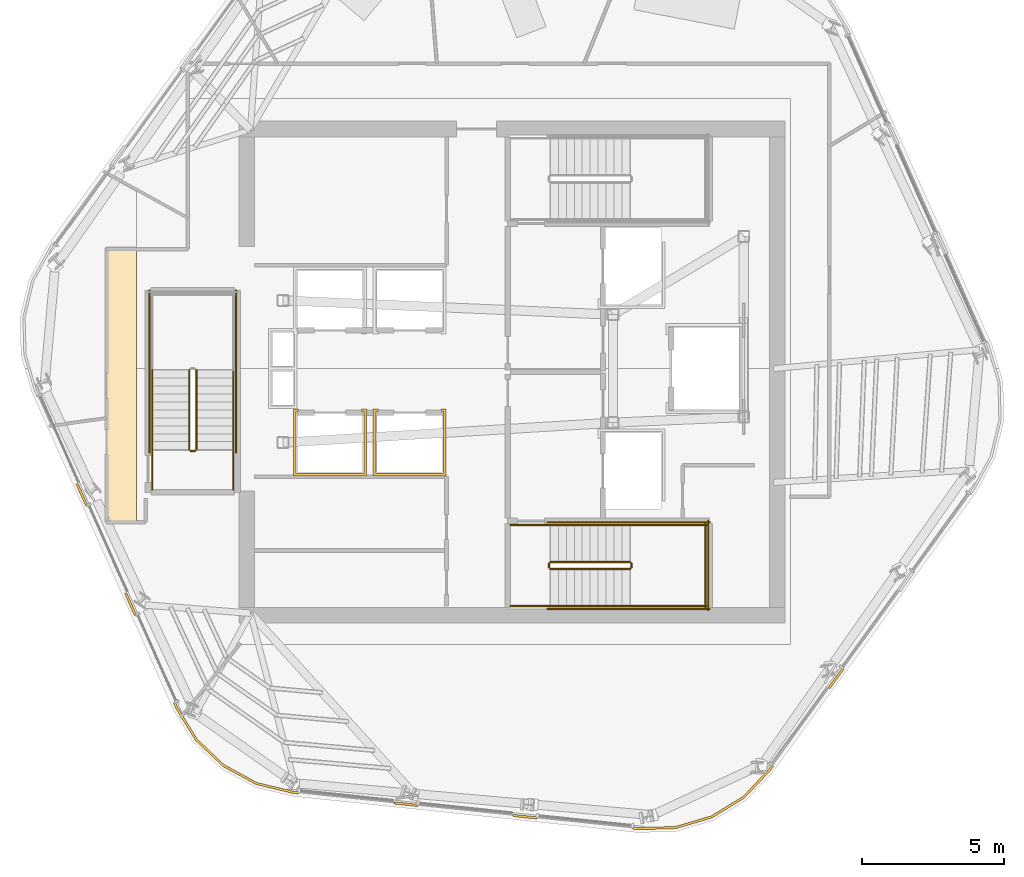
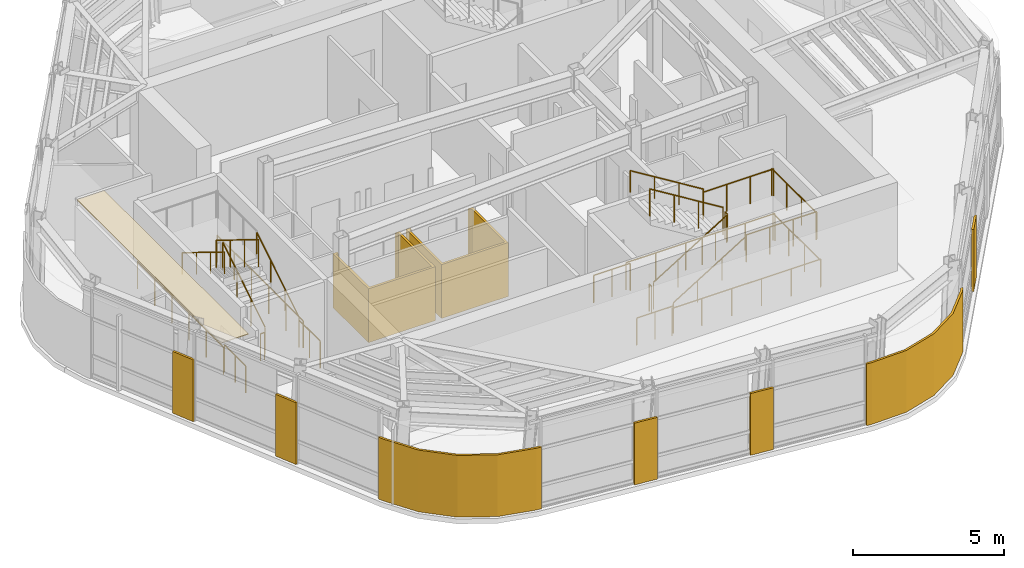
# One storey, part 8 of 12: 23 railings, 10 coverings.
"""IFC4 building model written with IfcOpenShell, lengths in metres."""

from ifc_helpers import new_model, si_unit, direction, frame, origin, origin_2d, place, context, subcontext, project, spatial, polyline, circle, outline, extrude, material, layer, layer_set, type_object, element, save


model = new_model("IFC4")

# Units and contexts
model_context = context("Model", 3, precision=1e-05, world=origin(), true_north=direction((0.0, 1.0)))
body_context = subcontext(model_context, "Body", "Model", "MODEL_VIEW")
ifc_project = project(units=[si_unit("LENGTHUNIT", "METRE"), si_unit("AREAUNIT", "SQUARE_METRE"), si_unit("VOLUMEUNIT", "CUBIC_METRE"), si_unit("PLANEANGLEUNIT", "RADIAN"), si_unit("MASSUNIT", "GRAM", prefix="KILO")], contexts=[model_context])

# Site, building, storey
site_placement = place(None, origin())
site = spatial("IfcSite", under=ifc_project, at=site_placement, CompositionType="ELEMENT")
building_placement = place(site_placement, origin())
building = spatial("IfcBuilding", under=site, at=building_placement, Name="Valkerne Bourse Tower", CompositionType="ELEMENT")
storey_placement = place(building_placement, frame((0.0, 0.0, 258.39990234375)))
storey = spatial("IfcBuildingStorey", under=building, at=storey_placement, Name="L65", CompositionType="ELEMENT", Elevation=258.39990234375)

# Coverings
ifc_material_1 = material(Name="Bronze Anodised Aluminium AA 6063-T6", Category="aluminium")
ifc_layer_1 = layer(ifc_material_1, 0.030029296875)
ifc_layer_set_1 = layer_set([ifc_layer_1], Name="Bronze Anodised Aluminium AA 6063-T6")
covering_type_1 = type_object("IfcCoveringType", Name="COV-CEIL-METAL", PredefinedType="CEILING", material=ifc_layer_set_1)
covering_1_placement = place(storey_placement, frame((0.0, 0.0, 3.25)))
element("IfcCovering", 1, at=covering_1_placement, inside=storey, type_object=covering_type_1, Name="L65 Suspended Ceiling 02", PredefinedType="CEILING", context=body_context, shape_type="SweptSolid", body=[
    extrude(outline(polyline([(32.553955078125, 21.60400390625), (32.553955078125, 31.196044921875), (33.60009765625, 31.196044921875), (33.60009765625, 21.60400390625), (32.553955078125, 21.60400390625)])), origin(), (0.0, 0.0, 1.0), 0.025146484375),
])
ifc_layer_2 = layer(ifc_material_1, 0.06005859375)
ifc_layer_set_2 = layer_set([ifc_layer_2], Name="Bronze Anodised Aluminium AA 6063-T6")
covering_type_2 = type_object("IfcCoveringType", Name="COV-CRN-ALUM", PredefinedType="CLADDING", material=ifc_layer_set_2)
covering_2_placement = place(storey_placement, origin())
element("IfcCovering", 2, at=covering_2_placement, inside=storey, type_object=covering_type_2, Name="L65 Wind-Shaped Corner Aluminium Cladding 03", PredefinedType="CLADDING", context=body_context, shape_type="SweptSolid", body=[
    extrude(outline(polyline([(57.98583984375, 15.750732421875), (57.921142578125, 15.7978515625), (58.414794921875, 16.477294921875), (58.4794921875, 16.430419921875), (57.98583984375, 15.750732421875)])), origin(), (0.0, 0.0, 1.0), 2.5),
])
covering_3_placement = place(storey_placement, origin())
element("IfcCovering", 3, at=covering_3_placement, inside=storey, type_object=covering_type_2, Name="L65 Wind-Shaped Corner Aluminium Cladding 04", PredefinedType="CLADDING", context=body_context, shape_type="SweptSolid", body=[
    extrude(outline(polyline([(55.890380859375, 12.866455078125), (54.96923828125, 11.89599609375), (53.83447265625, 11.200439453125), (52.55810546875, 10.822509765625), (51.220703125, 10.787353515625), (51.028564453125, 10.8076171875), (51.037109375, 10.88720703125), (51.223876953125, 10.867431640625), (52.54541015625, 10.902099609375), (53.801513671875, 11.2744140625), (54.91845703125, 11.958740234375), (55.82861328125, 12.91748046875), (55.93896484375, 13.069580078125), (56.00390625, 13.022705078125), (55.890380859375, 12.866455078125)])), origin(), (0.0, 0.0, 1.0), 2.5),
])
covering_4_placement = place(storey_placement, origin())
element("IfcCovering", 4, at=covering_4_placement, inside=storey, type_object=covering_type_2, Name="L65 Wind-Shaped Corner Aluminium Cladding 05", PredefinedType="CLADDING", context=body_context, shape_type="SweptSolid", body=[
    extrude(outline(polyline([(46.839599609375, 11.247802734375), (46.84814453125, 11.327392578125), (47.68359375, 11.23974609375), (47.675048828125, 11.16015625), (46.839599609375, 11.247802734375)])), origin(), (0.0, 0.0, 1.0), 2.5),
])
covering_5_placement = place(storey_placement, origin())
element("IfcCovering", 5, at=covering_5_placement, inside=storey, type_object=covering_type_2, Name="L65 Wind-Shaped Corner Aluminium Cladding 06", PredefinedType="CLADDING", context=body_context, shape_type="SweptSolid", body=[
    extrude(outline(polyline([(42.650634765625, 11.688232421875), (42.6591796875, 11.767822265625), (43.494384765625, 11.679931640625), (43.486083984375, 11.600341796875), (42.650634765625, 11.688232421875)])), origin(), (0.0, 0.0, 1.0), 2.5),
])
covering_6_placement = place(storey_placement, origin())
element("IfcCovering", 6, at=covering_6_placement, inside=storey, type_object=covering_type_2, Name="L65 Wind-Shaped Corner Aluminium Cladding 07", PredefinedType="CLADDING", context=body_context, shape_type="SweptSolid", body=[
    extrude(outline(polyline([(39.10498046875, 12.060791015625), (37.80419921875, 12.373291015625), (36.634521484375, 13.00830078125), (35.6689453125, 13.924560546875), (34.969970703125, 15.065185546875), (34.891357421875, 15.24169921875), (34.96435546875, 15.2744140625), (35.040771484375, 15.1025390625), (35.731689453125, 13.975341796875), (36.681884765625, 13.073486328125), (37.833251953125, 12.448486328125), (39.11865234375, 12.139892578125), (39.3056640625, 12.1201171875), (39.29736328125, 12.040771484375), (39.10498046875, 12.060791015625)])), origin(), (0.0, 0.0, 1.0), 2.5),
])
covering_7_placement = place(storey_placement, origin())
element("IfcCovering", 7, at=covering_7_placement, inside=storey, type_object=covering_type_2, Name="L65 Wind-Shaped Corner Aluminium Cladding 08", PredefinedType="CLADDING", context=body_context, shape_type="SweptSolid", body=[
    extrude(outline(polyline([(33.177978515625, 19.089599609375), (33.251220703125, 19.122314453125), (33.593017578125, 18.354736328125), (33.519775390625, 18.322265625), (33.177978515625, 19.089599609375)])), origin(), (0.0, 0.0, 1.0), 2.5),
])
covering_8_placement = place(storey_placement, origin())
element("IfcCovering", 8, at=covering_8_placement, inside=storey, type_object=covering_type_2, Name="L65 Wind-Shaped Corner Aluminium Cladding 09", PredefinedType="CLADDING", context=body_context, shape_type="SweptSolid", body=[
    extrude(outline(polyline([(31.465087890625, 22.9375), (31.5380859375, 22.969970703125), (31.879638671875, 22.20263671875), (31.806640625, 22.169921875), (31.465087890625, 22.9375)])), origin(), (0.0, 0.0, 1.0), 2.5),
])
ifc_material_2 = material(Name="Gypsum Shaftwall Liner Board", Category="gypsum")
ifc_layer_3 = layer(ifc_material_2, 0.080078125)
ifc_layer_set_3 = layer_set([ifc_layer_3], Name="Gypsum Shaftwall Liner Board")
covering_type_3 = type_object("IfcCoveringType", Name="COV-SHF-CLAD", PredefinedType="CLADDING", material=ifc_layer_set_3)
covering_9_placement = place(storey_placement, origin())
element("IfcCovering", 9, at=covering_9_placement, inside=storey, type_object=covering_type_3, Name="L65 Hoistway & Riser Shaftwall Liner 02", PredefinedType="CLADDING", context=body_context, shape_type="SweptSolid", body=[
    extrude(outline(polyline([(39.29931640625, 25.580078125), (39.28857421875, 25.537841796875), (39.2822265625, 25.494140625), (39.281982421875, 25.489990234375), (39.2099609375, 25.489990234375), (39.2099609375, 23.31005859375), (41.590087890625, 23.31005859375), (41.590087890625, 25.489990234375), (41.51806640625, 25.489990234375), (41.517822265625, 25.494140625), (41.511474609375, 25.537841796875), (41.500732421875, 25.580078125), (41.679931640625, 25.580078125), (41.679931640625, 23.219970703125), (39.1201171875, 23.219970703125), (39.1201171875, 25.580078125), (39.29931640625, 25.580078125)])), origin(), (0.0, 0.0, 1.0), 2.18017578125),
])
covering_10_placement = place(storey_placement, origin())
element("IfcCovering", 10, at=covering_10_placement, inside=storey, type_object=covering_type_3, Name="L65 Hoistway & Riser Shaftwall Liner 03", PredefinedType="CLADDING", context=body_context, shape_type="SweptSolid", body=[
    extrude(outline(polyline([(42.09912109375, 25.580078125), (42.088623046875, 25.537841796875), (42.082275390625, 25.494140625), (42.08203125, 25.489990234375), (42.010009765625, 25.489990234375), (42.010009765625, 23.31005859375), (44.389892578125, 23.31005859375), (44.389892578125, 25.489990234375), (44.318115234375, 25.489990234375), (44.31787109375, 25.494140625), (44.311279296875, 25.537841796875), (44.30078125, 25.580078125), (44.47998046875, 25.580078125), (44.47998046875, 23.219970703125), (41.919921875, 23.219970703125), (41.919921875, 25.580078125), (42.09912109375, 25.580078125)])), origin(), (0.0, 0.0, 1.0), 2.18017578125),
])

# Railings
ifc_material_3 = material(Name="Galvanised Painted Steel", Category="steel")
railing_type_1 = type_object("IfcRailingType", Name="RLG-ST-GUARD-1120", PredefinedType="GUARDRAIL", material=ifc_material_3)
railing_1_placement = place(storey_placement, frame((48.14990234375, 19.949951171875, 0.1728515625)))
element("IfcRailing", 11, at=railing_1_placement, inside=storey, type_object=railing_type_1, Name="L65 ST-1 stair guard 1", PredefinedType="GUARDRAIL", context=body_context, shape_type="SweptSolid", body=[
    extrude(circle(Radius=0.02392578125, at=origin_2d()), frame((0.0, 0.0, 1.09619140625), z_axis=(0.851089632645, 0.0, 0.525020415988), x_axis=(0.0, 1.0, 0.0)), (0.0, 0.0, 1.0), 3.2900390625),
    extrude(circle(Radius=0.02099609375, at=origin_2d()), origin(), (0.0, 0.0, 1.0), 1.072021484375),
    extrude(circle(Radius=0.02099609375, at=origin_2d()), frame((0.933349609375, 0.0, 0.57568359375)), (0.0, 0.0, 1.0), 1.072021484375),
    extrude(circle(Radius=0.02099609375, at=origin_2d()), frame((1.86669921875, 0.0, 1.151611328125)), (0.0, 0.0, 1.0), 1.072021484375),
    extrude(circle(Radius=0.02099609375, at=origin_2d()), frame((2.800048828125, 0.0, 1.727294921875)), (0.0, 0.0, 1.0), 1.072021484375),
])
railing_2_placement = place(storey_placement, frame((51.0, 20.0, 1.900146484375)))
element("IfcRailing", 12, at=railing_2_placement, inside=storey, type_object=railing_type_1, Name="L65 ST-1 stair guard 2", PredefinedType="GUARDRAIL", context=body_context, shape_type="SweptSolid", body=[
    extrude(circle(Radius=0.02392578125, at=origin_2d()), frame((0.0, 0.0, 1.09619140625), z_axis=(0.0, 1.0, 0.0), x_axis=(-1.0, 0.0, 0.0)), (0.0, 0.0, 1.0), 0.14990234375),
    extrude(circle(Radius=0.02099609375, at=origin_2d()), origin(), (0.0, 0.0, 1.0), 1.072021484375),
    extrude(circle(Radius=0.02099609375, at=origin_2d()), frame((0.0, 0.14990234375, 0.0)), (0.0, 0.0, 1.0), 1.072021484375),
])
for number, where, name in (
    (13, (50.949951171875, 18.64990234375, 1.900146484375), "L65 ST-1 stair guard 3"),
    (14, (50.949951171875, 21.5, 1.900146484375), "L65 ST-1 stair guard 4"),
):
    element("IfcRailing", number, at=place(storey_placement, frame(where)), inside=storey, type_object=railing_type_1, Name=name, PredefinedType="GUARDRAIL", context=body_context, shape_type="SweptSolid", body=[
        extrude(circle(Radius=0.02392578125, at=origin_2d()), frame((0.0, 0.0, 1.09619140625), z_axis=(1.0, 0.0, 0.0), x_axis=(0.0, 1.0, 0.0)), (0.0, 0.0, 1.0), 2.699951171875),
        extrude(circle(Radius=0.02099609375, at=origin_2d()), origin(), (0.0, 0.0, 1.0), 1.072021484375),
        extrude(circle(Radius=0.02099609375, at=origin_2d()), frame((0.89990234375, 0.0, 0.0)), (0.0, 0.0, 1.0), 1.072021484375),
        extrude(circle(Radius=0.02099609375, at=origin_2d()), frame((1.800048828125, 0.0, 0.0)), (0.0, 0.0, 1.0), 1.072021484375),
        extrude(circle(Radius=0.02099609375, at=origin_2d()), frame((2.699951171875, 0.0, 0.0)), (0.0, 0.0, 1.0), 1.072021484375),
    ])
railing_3_placement = place(storey_placement, frame((53.60009765625, 18.60009765625, 1.900146484375)))
element("IfcRailing", 15, at=railing_3_placement, inside=storey, type_object=railing_type_1, Name="L65 ST-1 stair guard 5", PredefinedType="GUARDRAIL", context=body_context, shape_type="SweptSolid", body=[
    extrude(circle(Radius=0.02392578125, at=origin_2d()), frame((0.0, 0.0, 1.09619140625), z_axis=(0.0, 1.0, 0.0), x_axis=(-1.0, 0.0, 0.0)), (0.0, 0.0, 1.0), 2.949951171875),
    extrude(circle(Radius=0.02099609375, at=origin_2d()), origin(), (0.0, 0.0, 1.0), 1.072021484375),
    extrude(circle(Radius=0.02099609375, at=origin_2d()), frame((0.0, 0.9833984375, 0.0)), (0.0, 0.0, 1.0), 1.072021484375),
    extrude(circle(Radius=0.02099609375, at=origin_2d()), frame((0.0, 1.966552734375, 0.0)), (0.0, 0.0, 1.0), 1.072021484375),
    extrude(circle(Radius=0.02099609375, at=origin_2d()), frame((0.0, 2.949951171875, 0.0)), (0.0, 0.0, 1.0), 1.072021484375),
])
railing_4_placement = place(storey_placement, frame((50.949951171875, 20.199951171875, 2.07275390625)))
element("IfcRailing", 16, at=railing_4_placement, inside=storey, type_object=railing_type_1, Name="L65 ST-1 stair guard 6", PredefinedType="GUARDRAIL", context=body_context, shape_type="SweptSolid", body=[
    extrude(circle(Radius=0.02392578125, at=origin_2d()), frame((0.0, 0.0, 1.09619140625), z_axis=(-0.851089632645, 0.0, 0.525020415988), x_axis=(0.0, -1.0, 0.0)), (0.0, 0.0, 1.0), 3.2900390625),
    extrude(circle(Radius=0.02099609375, at=origin_2d()), origin(), (0.0, 0.0, 1.0), 1.072021484375),
    extrude(circle(Radius=0.02099609375, at=origin_2d()), frame((-0.933349609375, 0.0, 0.57568359375)), (0.0, 0.0, 1.0), 1.072021484375),
    extrude(circle(Radius=0.02099609375, at=origin_2d()), frame((-1.86669921875, 0.0, 1.151611328125)), (0.0, 0.0, 1.0), 1.072021484375),
    extrude(circle(Radius=0.02099609375, at=origin_2d()), frame((-2.800048828125, 0.0, 1.727294921875)), (0.0, 0.0, 1.0), 1.072021484375),
])
railing_5_placement = place(storey_placement, frame((48.10009765625, 20.0, 0.0)))
element("IfcRailing", 17, at=railing_5_placement, inside=storey, type_object=railing_type_1, Name="L65 ST-1 stair guard 7", PredefinedType="GUARDRAIL", context=body_context, shape_type="SweptSolid", body=[
    extrude(circle(Radius=0.02392578125, at=origin_2d()), frame((0.0, 0.0, 1.09619140625), z_axis=(0.0, 1.0, 0.0), x_axis=(-1.0, 0.0, 0.0)), (0.0, 0.0, 1.0), 0.14990234375),
    extrude(circle(Radius=0.02099609375, at=origin_2d()), origin(), (0.0, 0.0, 1.0), 1.072021484375),
    extrude(circle(Radius=0.02099609375, at=origin_2d()), frame((0.0, 0.14990234375, 0.0)), (0.0, 0.0, 1.0), 1.072021484375),
])
for number, where, name in (
    (18, (46.75, 18.64990234375, 0.0), "L65 ST-1 stair guard 8"),
    (19, (46.75, 21.5, 0.0), "L65 ST-1 stair guard 9"),
):
    element("IfcRailing", number, at=place(storey_placement, frame(where)), inside=storey, type_object=railing_type_1, Name=name, PredefinedType="GUARDRAIL", context=body_context, shape_type="SweptSolid", body=[
        extrude(circle(Radius=0.02392578125, at=origin_2d()), frame((0.0, 0.0, 1.09619140625), z_axis=(1.0, 0.0, 0.0), x_axis=(0.0, 1.0, 0.0)), (0.0, 0.0, 1.0), 1.39990234375),
        extrude(circle(Radius=0.02099609375, at=origin_2d()), origin(), (0.0, 0.0, 1.0), 1.072021484375),
        extrude(circle(Radius=0.02099609375, at=origin_2d()), frame((0.699951171875, 0.0, 0.0)), (0.0, 0.0, 1.0), 1.072021484375),
        extrude(circle(Radius=0.02099609375, at=origin_2d()), frame((1.39990234375, 0.0, 0.0)), (0.0, 0.0, 1.0), 1.072021484375),
    ])
for number, where, name in (
    (20, (48.050048828125, 18.550048828125, 0.0), "L65 ST-1 stair guard 10"),
    (21, (48.050048828125, 21.60009765625, 0.0), "L65 ST-1 stair guard 11"),
):
    element("IfcRailing", number, at=place(storey_placement, frame(where)), inside=storey, type_object=railing_type_1, Name=name, PredefinedType="GUARDRAIL", context=body_context, shape_type="SweptSolid", body=[
        extrude(circle(Radius=0.02392578125, at=origin_2d()), frame((0.0, 0.0, 1.09619140625), z_axis=(1.0, 0.0, 0.0), x_axis=(0.0, 1.0, 0.0)), (0.0, 0.0, 1.0), 5.699951171875),
        extrude(circle(Radius=0.02099609375, at=origin_2d()), origin(), (0.0, 0.0, 1.0), 1.072021484375),
        extrude(circle(Radius=0.02099609375, at=origin_2d()), frame((1.139892578125, 0.0, 0.0)), (0.0, 0.0, 1.0), 1.072021484375),
        extrude(circle(Radius=0.02099609375, at=origin_2d()), frame((2.280029296875, 0.0, 0.0)), (0.0, 0.0, 1.0), 1.072021484375),
        extrude(circle(Radius=0.02099609375, at=origin_2d()), frame((3.419921875, 0.0, 0.0)), (0.0, 0.0, 1.0), 1.072021484375),
        extrude(circle(Radius=0.02099609375, at=origin_2d()), frame((4.56005859375, 0.0, 0.0)), (0.0, 0.0, 1.0), 1.072021484375),
        extrude(circle(Radius=0.02099609375, at=origin_2d()), frame((5.699951171875, 0.0, 0.0)), (0.0, 0.0, 1.0), 1.072021484375),
    ])
railing_6_placement = place(storey_placement, frame((53.699951171875, 18.5, 0.0)))
element("IfcRailing", 22, at=railing_6_placement, inside=storey, type_object=railing_type_1, Name="L65 ST-1 stair guard 12", PredefinedType="GUARDRAIL", context=body_context, shape_type="SweptSolid", body=[
    extrude(circle(Radius=0.02392578125, at=origin_2d()), frame((0.0, 0.0, 1.09619140625), z_axis=(0.0, 1.0, 0.0), x_axis=(-1.0, 0.0, 0.0)), (0.0, 0.0, 1.0), 3.14990234375),
    extrude(circle(Radius=0.02099609375, at=origin_2d()), origin(), (0.0, 0.0, 1.0), 1.072021484375),
    extrude(circle(Radius=0.02099609375, at=origin_2d()), frame((0.0, 1.050048828125, 0.0)), (0.0, 0.0, 1.0), 1.072021484375),
    extrude(circle(Radius=0.02099609375, at=origin_2d()), frame((0.0, 2.099853515625, 0.0)), (0.0, 0.0, 1.0), 1.072021484375),
    extrude(circle(Radius=0.02099609375, at=origin_2d()), frame((0.0, 3.14990234375, 0.0)), (0.0, 0.0, 1.0), 1.072021484375),
])
railing_7_placement = place(storey_placement, frame((35.699951171875, 24.14990234375, 0.1728515625)))
element("IfcRailing", 23, at=railing_7_placement, inside=storey, type_object=railing_type_1, Name="L65 ST-3 stair guard 1", PredefinedType="GUARDRAIL", context=body_context, shape_type="SweptSolid", body=[
    extrude(circle(Radius=0.02392578125, at=origin_2d()), frame((0.0, 0.0, 1.09619140625), z_axis=(0.0, 0.851089632645, 0.525020415988), x_axis=(-1.0, 0.0, 0.0)), (0.0, 0.0, 1.0), 3.2900390625),
    extrude(circle(Radius=0.02099609375, at=origin_2d()), origin(), (0.0, 0.0, 1.0), 1.072021484375),
    extrude(circle(Radius=0.02099609375, at=origin_2d()), frame((0.0, 0.933349609375, 0.57568359375)), (0.0, 0.0, 1.0), 1.072021484375),
    extrude(circle(Radius=0.02099609375, at=origin_2d()), frame((0.0, 1.86669921875, 1.151611328125)), (0.0, 0.0, 1.0), 1.072021484375),
    extrude(circle(Radius=0.02099609375, at=origin_2d()), frame((0.0, 2.800048828125, 1.727294921875)), (0.0, 0.0, 1.0), 1.072021484375),
])
railing_8_placement = place(storey_placement, frame((35.449951171875, 26.949951171875, 2.07275390625)))
element("IfcRailing", 24, at=railing_8_placement, inside=storey, type_object=railing_type_1, Name="L65 ST-3 stair guard 6", PredefinedType="GUARDRAIL", context=body_context, shape_type="SweptSolid", body=[
    extrude(circle(Radius=0.02392578125, at=origin_2d()), frame((0.0, 0.0, 1.09619140625), z_axis=(0.0, -0.851089632645, 0.525020415988), x_axis=(1.0, 0.0, 0.0)), (0.0, 0.0, 1.0), 3.2900390625),
    extrude(circle(Radius=0.02099609375, at=origin_2d()), origin(), (0.0, 0.0, 1.0), 1.072021484375),
    extrude(circle(Radius=0.02099609375, at=origin_2d()), frame((0.0, -0.933349609375, 0.57568359375)), (0.0, 0.0, 1.0), 1.072021484375),
    extrude(circle(Radius=0.02099609375, at=origin_2d()), frame((0.0, -1.86669921875, 1.151611328125)), (0.0, 0.0, 1.0), 1.072021484375),
    extrude(circle(Radius=0.02099609375, at=origin_2d()), frame((0.0, -2.800048828125, 1.727294921875)), (0.0, 0.0, 1.0), 1.072021484375),
])
railing_9_placement = place(storey_placement, frame((35.64990234375, 24.10009765625, 0.0)))
element("IfcRailing", 25, at=railing_9_placement, inside=storey, type_object=railing_type_1, Name="L65 ST-3 stair guard 7", PredefinedType="GUARDRAIL", context=body_context, shape_type="SweptSolid", body=[
    extrude(circle(Radius=0.02392578125, at=origin_2d()), frame((0.0, 0.0, 1.09619140625), z_axis=(-1.0, 0.0, 0.0), x_axis=(0.0, -1.0, 0.0)), (0.0, 0.0, 1.0), 0.14990234375),
    extrude(circle(Radius=0.02099609375, at=origin_2d()), origin(), (0.0, 0.0, 1.0), 1.072021484375),
    extrude(circle(Radius=0.02099609375, at=origin_2d()), frame((-0.14990234375, 0.0, 0.0)), (0.0, 0.0, 1.0), 1.072021484375),
])
for number, where, name in (
    (26, (37.0, 22.75, 0.0), "L65 ST-3 stair guard 8"),
    (27, (34.14990234375, 22.75, 0.0), "L65 ST-3 stair guard 9"),
):
    element("IfcRailing", number, at=place(storey_placement, frame(where)), inside=storey, type_object=railing_type_1, Name=name, PredefinedType="GUARDRAIL", context=body_context, shape_type="SweptSolid", body=[
        extrude(circle(Radius=0.02392578125, at=origin_2d()), frame((0.0, 0.0, 1.09619140625), z_axis=(0.0, 1.0, 0.0), x_axis=(-1.0, 0.0, 0.0)), (0.0, 0.0, 1.0), 1.39990234375),
        extrude(circle(Radius=0.02099609375, at=origin_2d()), origin(), (0.0, 0.0, 1.0), 1.072021484375),
        extrude(circle(Radius=0.02099609375, at=origin_2d()), frame((0.0, 0.699951171875, 0.0)), (0.0, 0.0, 1.0), 1.072021484375),
        extrude(circle(Radius=0.02099609375, at=origin_2d()), frame((0.0, 1.39990234375, 0.0)), (0.0, 0.0, 1.0), 1.072021484375),
    ])
for number, where, name in (
    (28, (37.10009765625, 24.050048828125, 0.0), "L65 ST-3 stair guard 10"),
    (29, (34.050048828125, 24.050048828125, 0.0), "L65 ST-3 stair guard 11"),
):
    element("IfcRailing", number, at=place(storey_placement, frame(where)), inside=storey, type_object=railing_type_1, Name=name, PredefinedType="GUARDRAIL", context=body_context, shape_type="SweptSolid", body=[
        extrude(circle(Radius=0.02392578125, at=origin_2d()), frame((0.0, 0.0, 1.09619140625), z_axis=(0.0, 1.0, 0.0), x_axis=(-1.0, 0.0, 0.0)), (0.0, 0.0, 1.0), 5.699951171875),
        extrude(circle(Radius=0.02099609375, at=origin_2d()), origin(), (0.0, 0.0, 1.0), 1.072021484375),
        extrude(circle(Radius=0.02099609375, at=origin_2d()), frame((0.0, 1.139892578125, 0.0)), (0.0, 0.0, 1.0), 1.072021484375),
        extrude(circle(Radius=0.02099609375, at=origin_2d()), frame((0.0, 2.280029296875, 0.0)), (0.0, 0.0, 1.0), 1.072021484375),
        extrude(circle(Radius=0.02099609375, at=origin_2d()), frame((0.0, 3.419921875, 0.0)), (0.0, 0.0, 1.0), 1.072021484375),
        extrude(circle(Radius=0.02099609375, at=origin_2d()), frame((0.0, 4.56005859375, 0.0)), (0.0, 0.0, 1.0), 1.072021484375),
        extrude(circle(Radius=0.02099609375, at=origin_2d()), frame((0.0, 5.699951171875, 0.0)), (0.0, 0.0, 1.0), 1.072021484375),
    ])
ifc_material_4 = material(Name="Stainless Steel AISI 316", Category="steel")
railing_type_2 = type_object("IfcRailingType", Name="RLG-ST-HANDRAIL-900", PredefinedType="HANDRAIL", material=ifc_material_4)
railing_10_placement = place(storey_placement, frame((48.14990234375, 18.64990234375, 0.345458984375)))
element("IfcRailing", 30, at=railing_10_placement, inside=storey, type_object=railing_type_2, Name="L65 ST-1 stair handrail 1", PredefinedType="HANDRAIL", context=body_context, shape_type="SweptSolid", body=[
    extrude(circle(Radius=0.02392578125, at=origin_2d()), frame((0.0, 0.0, 0.8759765625), z_axis=(0.851089632645, 0.0, 0.525020415988), x_axis=(0.0, 1.0, 0.0)), (0.0, 0.0, 1.0), 3.2900390625),
    extrude(circle(Radius=0.02099609375, at=origin_2d()), origin(), (0.0, 0.0, 1.0), 0.851806640625),
    extrude(circle(Radius=0.02099609375, at=origin_2d()), frame((0.933349609375, 0.0, 0.57568359375)), (0.0, 0.0, 1.0), 0.851806640625),
    extrude(circle(Radius=0.02099609375, at=origin_2d()), frame((1.86669921875, 0.0, 1.151611328125)), (0.0, 0.0, 1.0), 0.851806640625),
    extrude(circle(Radius=0.02099609375, at=origin_2d()), frame((2.800048828125, 0.0, 1.727294921875)), (0.0, 0.0, 1.0), 0.851806640625),
])
railing_11_placement = place(storey_placement, frame((50.949951171875, 21.5, 2.24560546875)))
element("IfcRailing", 31, at=railing_11_placement, inside=storey, type_object=railing_type_2, Name="L65 ST-1 stair handrail 2", PredefinedType="HANDRAIL", context=body_context, shape_type="SweptSolid", body=[
    extrude(circle(Radius=0.02392578125, at=origin_2d()), frame((0.0, 0.0, 0.8759765625), z_axis=(-0.851089632645, 0.0, 0.525020415988), x_axis=(0.0, -1.0, 0.0)), (0.0, 0.0, 1.0), 3.2900390625),
    extrude(circle(Radius=0.02099609375, at=origin_2d()), origin(), (0.0, 0.0, 1.0), 0.851806640625),
    extrude(circle(Radius=0.02099609375, at=origin_2d()), frame((-0.933349609375, 0.0, 0.57568359375)), (0.0, 0.0, 1.0), 0.851806640625),
    extrude(circle(Radius=0.02099609375, at=origin_2d()), frame((-1.86669921875, 0.0, 1.151611328125)), (0.0, 0.0, 1.0), 0.851806640625),
    extrude(circle(Radius=0.02099609375, at=origin_2d()), frame((-2.800048828125, 0.0, 1.727294921875)), (0.0, 0.0, 1.0), 0.851806640625),
])
railing_12_placement = place(storey_placement, frame((37.0, 24.14990234375, 0.345458984375)))
element("IfcRailing", 32, at=railing_12_placement, inside=storey, type_object=railing_type_2, Name="L65 ST-3 stair handrail 1", PredefinedType="HANDRAIL", context=body_context, shape_type="SweptSolid", body=[
    extrude(circle(Radius=0.02392578125, at=origin_2d()), frame((0.0, 0.0, 0.8759765625), z_axis=(0.0, 0.851089632645, 0.525020415988), x_axis=(-1.0, 0.0, 0.0)), (0.0, 0.0, 1.0), 3.2900390625),
    extrude(circle(Radius=0.02099609375, at=origin_2d()), origin(), (0.0, 0.0, 1.0), 0.851806640625),
    extrude(circle(Radius=0.02099609375, at=origin_2d()), frame((0.0, 0.933349609375, 0.57568359375)), (0.0, 0.0, 1.0), 0.851806640625),
    extrude(circle(Radius=0.02099609375, at=origin_2d()), frame((0.0, 1.86669921875, 1.151611328125)), (0.0, 0.0, 1.0), 0.851806640625),
    extrude(circle(Radius=0.02099609375, at=origin_2d()), frame((0.0, 2.800048828125, 1.727294921875)), (0.0, 0.0, 1.0), 0.851806640625),
])
railing_13_placement = place(storey_placement, frame((34.14990234375, 26.949951171875, 2.24560546875)))
element("IfcRailing", 33, at=railing_13_placement, inside=storey, type_object=railing_type_2, Name="L65 ST-3 stair handrail 2", PredefinedType="HANDRAIL", context=body_context, shape_type="SweptSolid", body=[
    extrude(circle(Radius=0.02392578125, at=origin_2d()), frame((0.0, 0.0, 0.8759765625), z_axis=(0.0, -0.851089632645, 0.525020415988), x_axis=(1.0, 0.0, 0.0)), (0.0, 0.0, 1.0), 3.2900390625),
    extrude(circle(Radius=0.02099609375, at=origin_2d()), origin(), (0.0, 0.0, 1.0), 0.851806640625),
    extrude(circle(Radius=0.02099609375, at=origin_2d()), frame((0.0, -0.933349609375, 0.57568359375)), (0.0, 0.0, 1.0), 0.851806640625),
    extrude(circle(Radius=0.02099609375, at=origin_2d()), frame((0.0, -1.86669921875, 1.151611328125)), (0.0, 0.0, 1.0), 0.851806640625),
    extrude(circle(Radius=0.02099609375, at=origin_2d()), frame((0.0, -2.800048828125, 1.727294921875)), (0.0, 0.0, 1.0), 0.851806640625),
])

save(model, "model.ifc")
